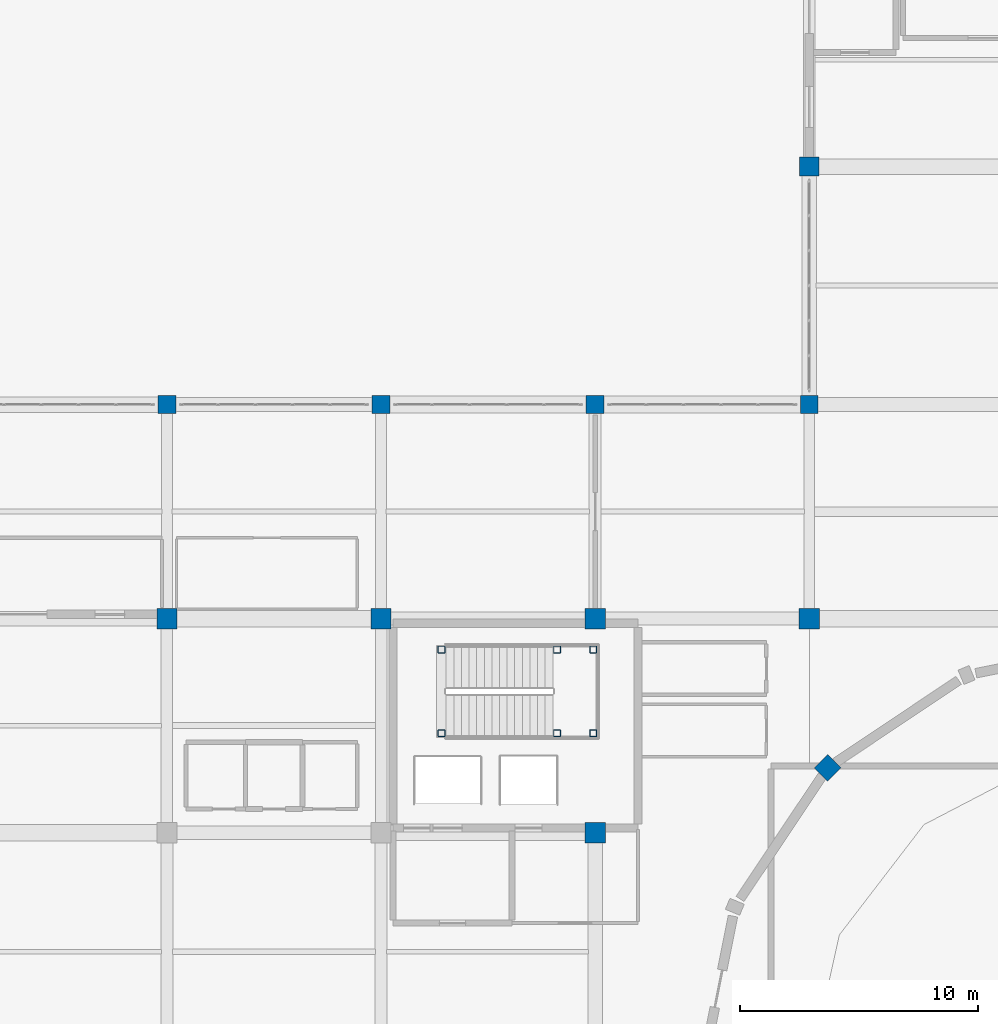
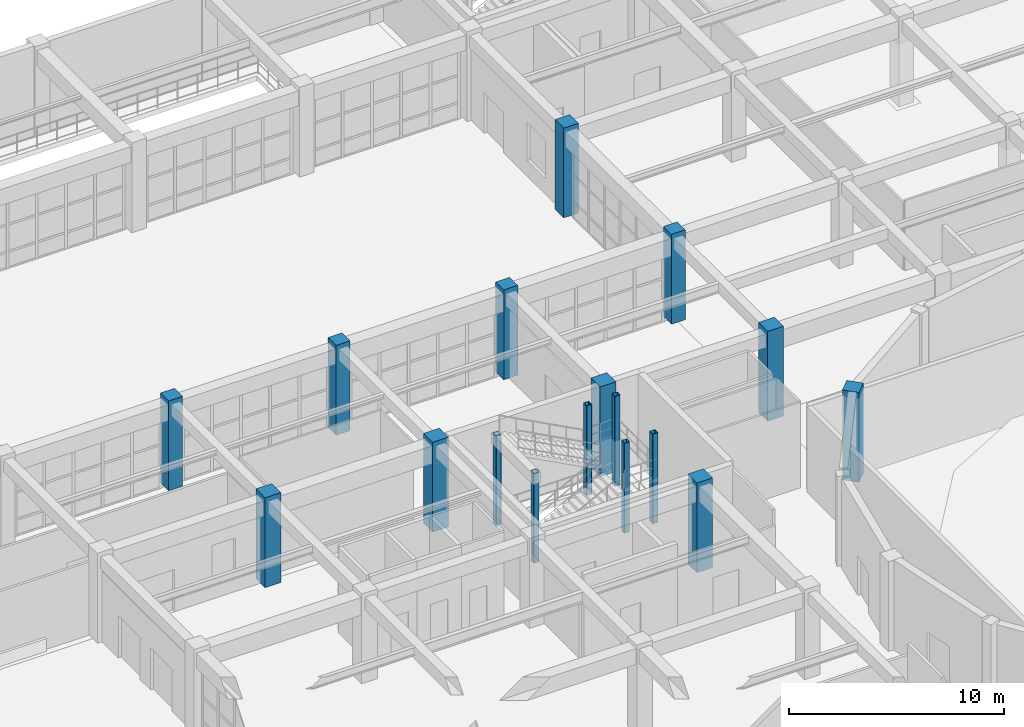
# One storey, part 9 of 128: 17 columns.
"""IFC4 building model written with IfcOpenShell, lengths in metres."""

from ifc_helpers import new_model, si_unit, direction, frame, origin, origin_2d, place, context, subcontext, project, spatial, rectangle, hollow_rectangle, extrude, material, material_profile, profile_set, type_object, element, save


model = new_model("IFC4")

# Units and contexts
model_context = context("Model", 3, precision=1e-05, world=origin(), true_north=direction((0.0, 1.0)))
body_context = subcontext(model_context, "Body", "Model", "MODEL_VIEW")
ifc_project = project(units=[si_unit("LENGTHUNIT", "METRE"), si_unit("AREAUNIT", "SQUARE_METRE"), si_unit("VOLUMEUNIT", "CUBIC_METRE"), si_unit("PLANEANGLEUNIT", "RADIAN"), si_unit("MASSUNIT", "GRAM", prefix="KILO")], contexts=[model_context])

# Site, building, storey
site_placement = place(None, origin())
site = spatial("IfcSite", under=ifc_project, at=site_placement, CompositionType="ELEMENT")
building_placement = place(site_placement, origin())
building = spatial("IfcBuilding", under=site, at=building_placement, Name="Miravela Opera House", CompositionType="ELEMENT")
storey_placement = place(building_placement, origin())
storey = spatial("IfcBuildingStorey", under=building, at=storey_placement, Name="L00", CompositionType="ELEMENT", Elevation=0.0)

# Columns
ifc_material_1 = material(Name="Hollow structural steel ASTM A500 Gr. C", Category="steel")
ifc_material_profile_1 = material_profile(ifc_material_1, hollow_rectangle(XDim=0.300048828125, YDim=0.300048828125, WallThickness=0.01611328125, InnerFilletRadius=0.01611328125, OuterFilletRadius=0.031982421875, at=origin_2d()), Name="HSS300X300X16")
ifc_profile_set_1 = profile_set([ifc_material_profile_1])
column_type_1 = type_object("IfcColumnType", Name="STR-COL-HSS300", PredefinedType="COLUMN", material=ifc_profile_set_1)
for number, where, z_axis, x_axis, name in (
    (1, (47.5400390625, 70.179931640625, 0.0), (0.0, 0.0, 1.0), (1.0, 0.0, 0.0), "Stair K1 Landing Support Column 1 (L00)"),
    (2, (47.5400390625, 73.699951171875, 0.0), (0.0, 0.0, 1.0), (1.0, 0.0, 0.0), "Stair K1 Landing Support Column 2 (L00)"),
    (3, (52.39990234375, 70.179931640625, 0.0), (0.0, 0.0, 1.0), (1.0, 0.0, 0.0), "Stair K1 Landing Support Column 3 (L00)"),
    (4, (52.39990234375, 73.699951171875, 0.0), (0.0, 0.0, 1.0), (1.0, 0.0, 0.0), "Stair K1 Landing Support Column 4 (L00)"),
    (5, (53.919921875, 70.179931640625, 0.0), (0.0, 0.0, 1.0), (1.0, 0.0, 0.0), "Stair K1 Landing Support Column 5 (L00)"),
    (6, (53.919921875, 73.699951171875, 0.0), (0.0, 0.0, 1.0), (1.0, 0.0, 0.0), "Stair K1 Landing Support Column 6 (L00)"),
):
    element("IfcColumn", number, at=place(storey_placement, frame(where, z_axis=z_axis, x_axis=x_axis)), inside=storey, type_object=column_type_1, Name=name, PredefinedType="COLUMN", context=body_context, shape_type="SweptSolid", body=[
        extrude(hollow_rectangle(XDim=0.300048828125, YDim=0.300048828125, WallThickness=0.01611328125, InnerFilletRadius=0.01611328125, OuterFilletRadius=0.031982421875, at=origin_2d()), origin(), (0.0, 0.0, 1.0), 5.10009765625),
    ])
ifc_material_2 = material(Name="Concrete C35/45", Category="concrete")
ifc_material_profile_2 = material_profile(ifc_material_2, rectangle(XDim=0.75, YDim=0.75, at=origin_2d()), Name="RC-COL-750X750")
ifc_profile_set_2 = profile_set([ifc_material_profile_2])
column_type_2 = type_object("IfcColumnType", Name="STR-COL-RC750", PredefinedType="COLUMN", material=ifc_profile_set_2)
for number, where, z_axis, x_axis, name in (
    (7, (36.0, 84.0, 0.0), (0.0, 0.0, 1.0), (1.0, 0.0, 0.0), "Column C-5J (L00)"),
    (8, (45.0, 84.0, 0.0), (0.0, 0.0, 1.0), (1.0, 0.0, 0.0), "Column C-6J (L00)"),
    (9, (54.0, 84.0, 0.0), (0.0, 0.0, 1.0), (1.0, 0.0, 0.0), "Column C-7J (L00)"),
    (10, (63.0, 84.0, 0.0), (0.0, 0.0, 1.0), (1.0, 0.0, 0.0), "Column C-8J (L00)"),
):
    element("IfcColumn", number, at=place(storey_placement, frame(where, z_axis=z_axis, x_axis=x_axis)), inside=storey, type_object=column_type_2, Name=name, PredefinedType="COLUMN", context=body_context, shape_type="SweptSolid", body=[
        extrude(rectangle(XDim=0.75, YDim=0.75, at=origin_2d()), origin(), (0.0, 0.0, 1.0), 5.10009765625),
    ])
ifc_material_3 = material(Name="Concrete C40/50", Category="concrete")
ifc_material_profile_3 = material_profile(ifc_material_3, rectangle(XDim=0.800048828125, YDim=0.800048828125, at=origin_2d()), Name="RC-COL-800X800")
ifc_profile_set_3 = profile_set([ifc_material_profile_3])
column_type_3 = type_object("IfcColumnType", Name="STR-COL-RC800", PredefinedType="COLUMN", material=ifc_profile_set_3)
column_1_placement = place(storey_placement, frame((63.0, 94.0, 0.0), z_axis=(0.0, 0.0, 1.0), x_axis=(1.0, 0.0, 0.0)))
element("IfcColumn", 11, at=column_1_placement, inside=storey, type_object=column_type_3, Name="Column C-8K (L00)", PredefinedType="COLUMN", context=body_context, shape_type="SweptSolid", body=[
    extrude(rectangle(XDim=0.800048828125, YDim=0.800048828125, at=origin_2d()), origin(), (0.0, 0.0, 1.0), 5.10009765625),
])
ifc_material_profile_4 = material_profile(ifc_material_3, rectangle(XDim=0.85009765625, YDim=0.85009765625, at=origin_2d()), Name="RC-COL-850X850")
ifc_profile_set_4 = profile_set([ifc_material_profile_4])
column_type_4 = type_object("IfcColumnType", Name="STR-COL-RC850", PredefinedType="COLUMN", material=ifc_profile_set_4)
for number, where, z_axis, x_axis, name in (
    (12, (36.0, 75.0, 0.0), (0.0, 0.0, 1.0), (1.0, 0.0, 0.0), "Column C-5I (L00)"),
    (13, (45.0, 75.0, 0.0), (0.0, 0.0, 1.0), (1.0, 0.0, 0.0), "Column C-6I (L00)"),
    (14, (54.0, 66.0, 0.0), (0.0, 0.0, 1.0), (1.0, 0.0, 0.0), "Column C-7H (L00)"),
    (15, (54.0, 75.0, 0.0), (0.0, 0.0, 1.0), (1.0, 0.0, 0.0), "Column C-7I (L00)"),
    (16, (63.0, 75.0, 0.0), (0.0, 0.0, 1.0), (1.0, 0.0, 0.0), "Column C-8I (L00)"),
):
    element("IfcColumn", number, at=place(storey_placement, frame(where, z_axis=z_axis, x_axis=x_axis)), inside=storey, type_object=column_type_4, Name=name, PredefinedType="COLUMN", context=body_context, shape_type="SweptSolid", body=[
        extrude(rectangle(XDim=0.85009765625, YDim=0.85009765625, at=origin_2d()), origin(), (0.0, 0.0, 1.0), 5.10009765625),
    ])
ifc_material_profile_5 = material_profile(ifc_material_3, rectangle(XDim=0.800048828125, YDim=0.800048828125, at=origin_2d()), Name="RC-COL-800X800")
ifc_profile_set_5 = profile_set([ifc_material_profile_5])
column_type_5 = type_object("IfcColumnType", Name="STR-PIL-RC800", PredefinedType="PILASTER", material=ifc_profile_set_5)
column_2_placement = place(storey_placement, frame((63.772216796875, 68.727783203125, 0.0), z_axis=(0.0, 0.0, 1.0), x_axis=(-0.707106781187, 0.707106781187, 0.0)))
element("IfcColumn", 17, at=column_2_placement, inside=storey, type_object=column_type_5, Name="Auditorium Drum Column DC-07 (L00)", PredefinedType="PILASTER", context=body_context, shape_type="SweptSolid", body=[
    extrude(rectangle(XDim=0.800048828125, YDim=0.800048828125, at=origin_2d()), origin(), (0.0, 0.0, 1.0), 5.10009765625),
])

save(model, "model.ifc")
